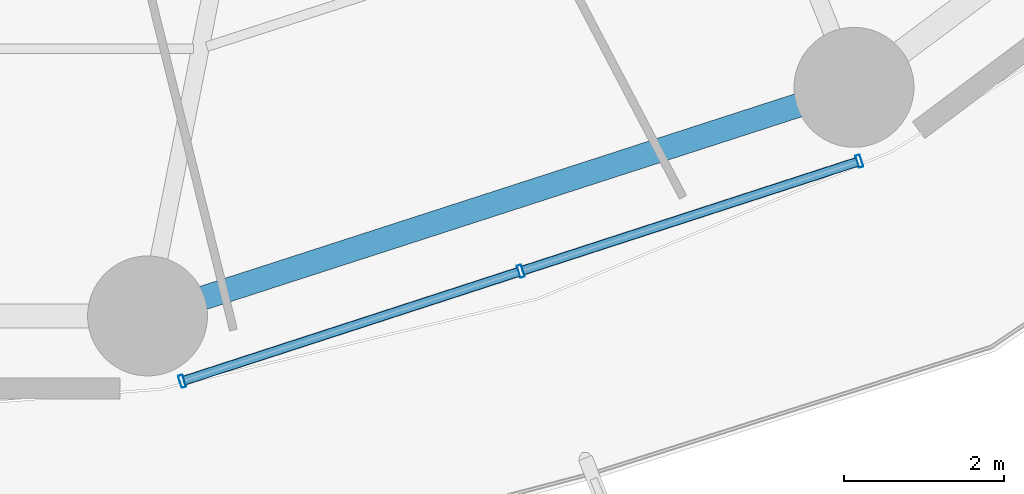
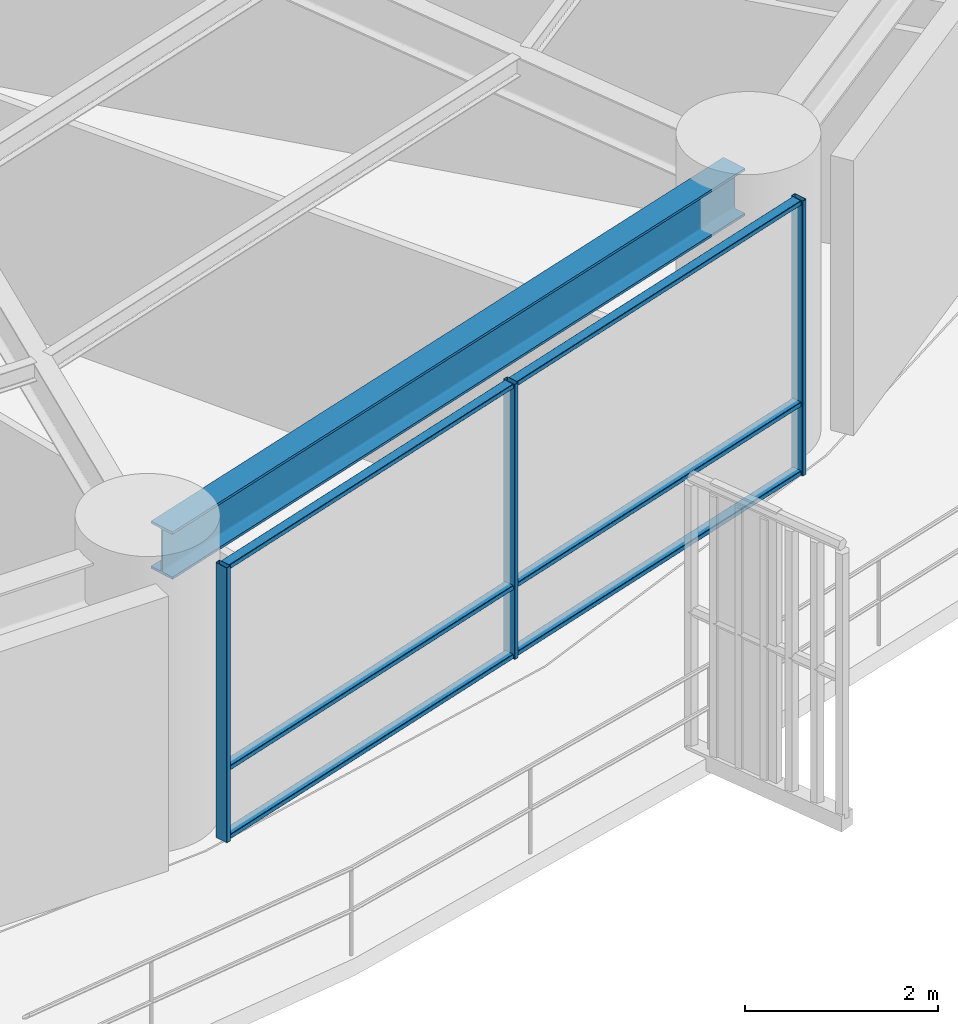
# One storey, part 8 of 33: 9 members, 1 beam, 1 element without a shape of its own.
"""IFC4 building model written with IfcOpenShell, lengths in metres."""

from ifc_helpers import new_model, si_unit, direction, frame, origin, origin_2d, place, context, subcontext, project, spatial, hollow_rectangle, i_section, extrude, material, layer, layer_set, material_profile, profile_set, type_object, element, aggregate, save


model = new_model("IFC4")

# Units and contexts
model_context = context("Model", 3, precision=1e-05, world=origin(), true_north=direction((0.0, 1.0)))
body_context = subcontext(model_context, "Body", "Model", "MODEL_VIEW")
ifc_project = project(units=[si_unit("LENGTHUNIT", "METRE"), si_unit("AREAUNIT", "SQUARE_METRE"), si_unit("VOLUMEUNIT", "CUBIC_METRE"), si_unit("PLANEANGLEUNIT", "RADIAN"), si_unit("MASSUNIT", "GRAM", prefix="KILO")], contexts=[model_context])

# Site, building, storey
site_placement = place(None, origin())
site = spatial("IfcSite", under=ifc_project, at=site_placement, CompositionType="ELEMENT")
building_placement = place(site_placement, origin())
building = spatial("IfcBuilding", under=site, at=building_placement, Name="Kelanora Arch Commons", CompositionType="ELEMENT")
storey_placement = place(building_placement, frame((0.0, 0.0, 26.25)))
storey = spatial("IfcBuildingStorey", under=building, at=storey_placement, Name="L06", CompositionType="ELEMENT", Elevation=26.25)

# Beam
ifc_material_1 = material(Name="Steel S355", Category="steel")
ifc_material_profile_1 = material_profile(ifc_material_1, i_section(OverallWidth=0.300048828125, OverallDepth=0.60009765625, WebThickness=0.015380859375, FlangeThickness=0.030029296875, FilletRadius=0.027099609375, at=origin_2d()), Name="HEB600")
ifc_profile_set_1 = profile_set([ifc_material_profile_1], Name="Steel S355")
beam_type = type_object("IfcBeamType", Name="BM-SPN-Z1", PredefinedType="SPANDREL", material=ifc_profile_set_1)
beam_placement = place(storey_placement, frame((78.91162109375, 34.353515625, 3.18994140625), z_axis=(0.951411479564, 0.307922387224, 0.0), x_axis=(-0.307922387224, 0.951411479564, 0.0)))
element("IfcBeam", 1, at=beam_placement, inside=storey, type_object=beam_type, Name="Perimeter Spandrel Beam BS-28 L06", PredefinedType="SPANDREL", context=body_context, shape_type="SweptSolid", body=[
    extrude(i_section(OverallWidth=0.300048828125, OverallDepth=0.60009765625, WebThickness=0.015380859375, FlangeThickness=0.030029296875, FilletRadius=0.027099609375, at=origin_2d()), origin(), (0.0, 0.0, 1.0), 8.84912109375),
])

# Curtain wall, members
ifc_material_2 = material(Name="Terracotta ceramic-fritted low-E glass and aluminium", Category="masonry")
ifc_layer = layer(ifc_material_2, 0.159912109375)
ifc_layer_set = layer_set([ifc_layer], Name="Terracotta ceramic-fritted low-E glass and aluminium")
curtain_wall_type = type_object("IfcCurtainWallType", Name="CW-SYS-01", PredefinedType="NOTDEFINED", material=ifc_layer_set)
curtain_wall_placement = place(storey_placement, origin())
curtain_wall = element("IfcCurtainWall", 2, at=curtain_wall_placement, inside=storey, type_object=curtain_wall_type, Name="Unitised Curtain Wall L06-B14", PredefinedType="NOTDEFINED")
ifc_material_3 = material(Name="Powder-coated aluminium terracotta", Category="masonry")
ifc_material_profile_2 = material_profile(ifc_material_3, hollow_rectangle(XDim=0.159912109375, YDim=0.06005859375, WallThickness=0.0048828125, InnerFilletRadius=0.0048828125, OuterFilletRadius=0.010009765625, at=origin_2d()), Name="CWM160x60")
ifc_profile_set_2 = profile_set([ifc_material_profile_2], Name="Powder-coated aluminium terracotta")
member_type_1 = type_object("IfcMemberType", Name="CWM-STD", PredefinedType="MULLION", material=ifc_profile_set_2)
member_1_placement = place(storey_placement, frame((79.134521484375, 33.46826171875, 0.0), z_axis=(0.0, 0.0, 1.0), x_axis=(-0.30905758454, 0.951043326793, 0.0)))
member_1 = element("IfcMember", 3, at=member_1_placement, type_object=member_type_1, Name="CW-01 mullion 1", PredefinedType="MULLION", context=body_context, shape_type="SweptSolid", body=[
    extrude(hollow_rectangle(XDim=0.159912109375, YDim=0.06005859375, WallThickness=0.0048828125, InnerFilletRadius=0.0048828125, OuterFilletRadius=0.010009765625, at=origin_2d()), origin(), (0.0, 0.0, 1.0), 3.47509765625),
])
member_2_placement = place(storey_placement, frame((83.37109375, 34.84521484375, 0.0), z_axis=(0.0, 0.0, 1.0), x_axis=(-0.30905758454, 0.951043326793, 0.0)))
member_2 = element("IfcMember", 4, at=member_2_placement, type_object=member_type_1, Name="CW-01 mullion 2", PredefinedType="MULLION", context=body_context, shape_type="SweptSolid", body=[
    extrude(hollow_rectangle(XDim=0.159912109375, YDim=0.06005859375, WallThickness=0.0048828125, InnerFilletRadius=0.0048828125, OuterFilletRadius=0.010009765625, at=origin_2d()), origin(), (0.0, 0.0, 1.0), 3.47509765625),
])
member_3_placement = place(storey_placement, frame((87.607666015625, 36.221923828125, 0.0), z_axis=(0.0, 0.0, 1.0), x_axis=(-0.30905758454, 0.951043326793, 0.0)))
member_3 = element("IfcMember", 5, at=member_3_placement, type_object=member_type_1, Name="CW-01 mullion 3", PredefinedType="MULLION", context=body_context, shape_type="SweptSolid", body=[
    extrude(hollow_rectangle(XDim=0.159912109375, YDim=0.06005859375, WallThickness=0.0048828125, InnerFilletRadius=0.0048828125, OuterFilletRadius=0.010009765625, at=origin_2d()), origin(), (0.0, 0.0, 1.0), 3.47509765625),
])
ifc_material_profile_3 = material_profile(ifc_material_3, hollow_rectangle(XDim=0.1201171875, YDim=0.06005859375, WallThickness=0.0048828125, InnerFilletRadius=0.0048828125, OuterFilletRadius=0.010009765625, at=origin_2d()), Name="CWT120x60")
ifc_profile_set_3 = profile_set([ifc_material_profile_3], Name="Powder-coated aluminium terracotta")
member_type_2 = type_object("IfcMemberType", Name="CWT-STD", PredefinedType="USERDEFINED", material=ifc_profile_set_3)
member_4_placement = place(storey_placement, frame((79.1630859375, 33.4775390625, 0.030029296875), z_axis=(0.951028761285, 0.309102402464, 0.0), x_axis=(-0.309102402464, 0.951028761285, 0.0)))
member_4 = element("IfcMember", 6, at=member_4_placement, type_object=member_type_2, Name="CW-01 transom 1.1", ObjectType="TRANSOM", PredefinedType="USERDEFINED", context=body_context, shape_type="SweptSolid", body=[
    extrude(hollow_rectangle(XDim=0.1201171875, YDim=0.06005859375, WallThickness=0.0048828125, InnerFilletRadius=0.0048828125, OuterFilletRadius=0.010009765625, at=origin_2d()), origin(), (0.0, 0.0, 1.0), 4.394775390625),
])
member_5_placement = place(storey_placement, frame((79.1630859375, 33.4775390625, 0.89990234375), z_axis=(0.951028761285, 0.309102402464, 0.0), x_axis=(-0.309102402464, 0.951028761285, 0.0)))
member_5 = element("IfcMember", 7, at=member_5_placement, type_object=member_type_2, Name="CW-01 transom 1.2", ObjectType="TRANSOM", PredefinedType="USERDEFINED", context=body_context, shape_type="SweptSolid", body=[
    extrude(hollow_rectangle(XDim=0.1201171875, YDim=0.06005859375, WallThickness=0.0048828125, InnerFilletRadius=0.0048828125, OuterFilletRadius=0.010009765625, at=origin_2d()), origin(), (0.0, 0.0, 1.0), 4.394775390625),
])
member_6_placement = place(storey_placement, frame((79.1630859375, 33.4775390625, 3.445068359375), z_axis=(0.951028761285, 0.309102402464, 0.0), x_axis=(-0.309102402464, 0.951028761285, 0.0)))
member_6 = element("IfcMember", 8, at=member_6_placement, type_object=member_type_2, Name="CW-01 transom 1.3", ObjectType="TRANSOM", PredefinedType="USERDEFINED", context=body_context, shape_type="SweptSolid", body=[
    extrude(hollow_rectangle(XDim=0.1201171875, YDim=0.06005859375, WallThickness=0.0048828125, InnerFilletRadius=0.0048828125, OuterFilletRadius=0.010009765625, at=origin_2d()), origin(), (0.0, 0.0, 1.0), 4.394775390625),
])
member_7_placement = place(storey_placement, frame((83.399658203125, 34.8544921875, 0.030029296875), z_axis=(0.951045091182, 0.309052155047, 0.0), x_axis=(-0.309052155047, 0.951045091182, 0.0)))
member_7 = element("IfcMember", 9, at=member_7_placement, type_object=member_type_2, Name="CW-01 transom 2.1", ObjectType="TRANSOM", PredefinedType="USERDEFINED", context=body_context, shape_type="SweptSolid", body=[
    extrude(hollow_rectangle(XDim=0.1201171875, YDim=0.06005859375, WallThickness=0.0048828125, InnerFilletRadius=0.0048828125, OuterFilletRadius=0.010009765625, at=origin_2d()), origin(), (0.0, 0.0, 1.0), 4.39453125),
])
member_8_placement = place(storey_placement, frame((83.399658203125, 34.8544921875, 0.89990234375), z_axis=(0.951045091182, 0.309052155047, 0.0), x_axis=(-0.309052155047, 0.951045091182, 0.0)))
member_8 = element("IfcMember", 10, at=member_8_placement, type_object=member_type_2, Name="CW-01 transom 2.2", ObjectType="TRANSOM", PredefinedType="USERDEFINED", context=body_context, shape_type="SweptSolid", body=[
    extrude(hollow_rectangle(XDim=0.1201171875, YDim=0.06005859375, WallThickness=0.0048828125, InnerFilletRadius=0.0048828125, OuterFilletRadius=0.010009765625, at=origin_2d()), origin(), (0.0, 0.0, 1.0), 4.39453125),
])
member_9_placement = place(storey_placement, frame((83.399658203125, 34.8544921875, 3.445068359375), z_axis=(0.951045091182, 0.309052155047, 0.0), x_axis=(-0.309052155047, 0.951045091182, 0.0)))
member_9 = element("IfcMember", 11, at=member_9_placement, type_object=member_type_2, Name="CW-01 transom 2.3", ObjectType="TRANSOM", PredefinedType="USERDEFINED", context=body_context, shape_type="SweptSolid", body=[
    extrude(hollow_rectangle(XDim=0.1201171875, YDim=0.06005859375, WallThickness=0.0048828125, InnerFilletRadius=0.0048828125, OuterFilletRadius=0.010009765625, at=origin_2d()), origin(), (0.0, 0.0, 1.0), 4.39453125),
])
aggregate(curtain_wall, [member_1, member_2, member_3, member_4, member_5, member_6, member_7, member_8, member_9])

save(model, "model.ifc")
